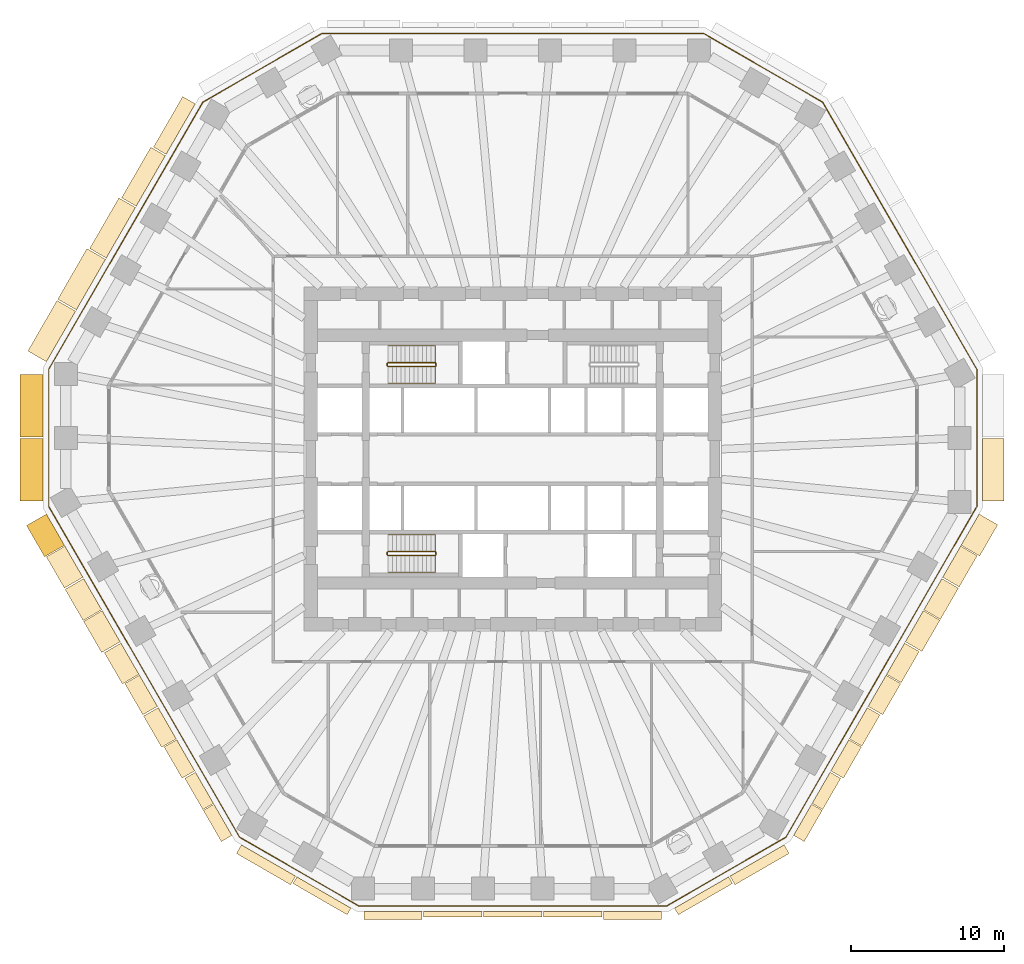
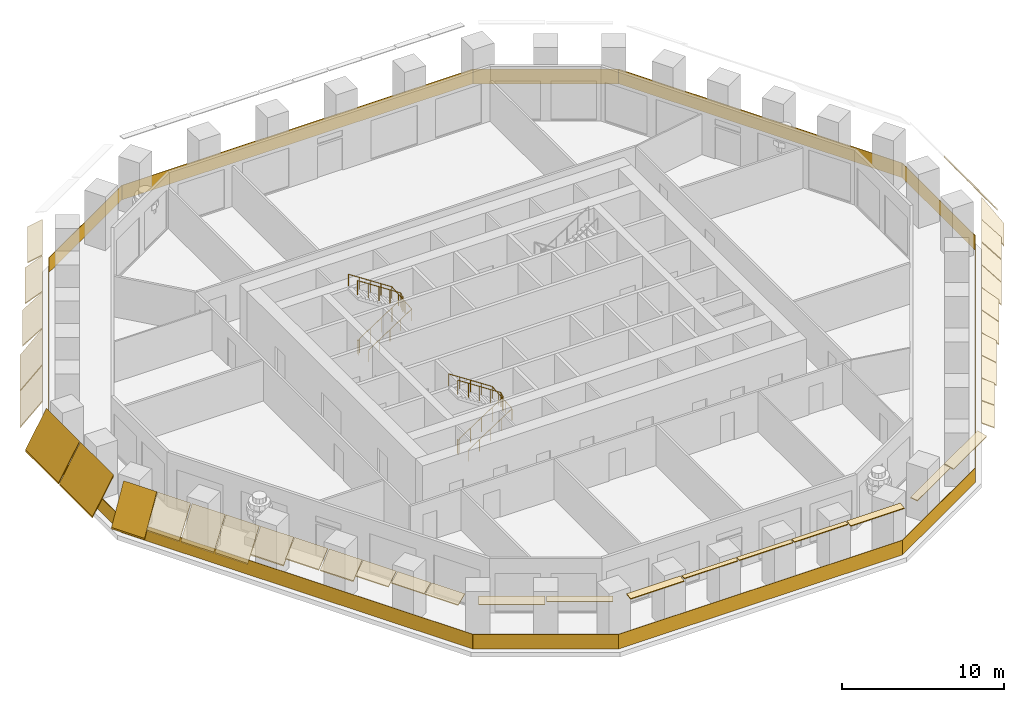
# One storey, part 9 of 12: 37 coverings, 5 railings.
"""IFC4 building model written with IfcOpenShell, lengths in metres."""

from ifc_helpers import new_model, si_unit, direction, frame, origin, origin_2d, place, context, subcontext, project, spatial, polyline, rectangle, circle, outline, extrude, material, layer, layer_set, type_object, element, save


model = new_model("IFC4")

# Units and contexts
model_context = context("Model", 3, precision=1e-05, world=origin(), true_north=direction((0.0, 1.0)))
body_context = subcontext(model_context, "Body", "Model", "MODEL_VIEW")
ifc_project = project(units=[si_unit("LENGTHUNIT", "METRE"), si_unit("AREAUNIT", "SQUARE_METRE"), si_unit("VOLUMEUNIT", "CUBIC_METRE"), si_unit("PLANEANGLEUNIT", "RADIAN"), si_unit("MASSUNIT", "GRAM", prefix="KILO")], contexts=[model_context])

# Site, building, storey
site_placement = place(None, origin())
site = spatial("IfcSite", under=ifc_project, at=site_placement, CompositionType="ELEMENT")
building_placement = place(site_placement, origin())
building = spatial("IfcBuilding", under=site, at=building_placement, Name="Frailejon Research Tower", CompositionType="ELEMENT")
storey_placement = place(building_placement, frame((0.0, 0.0, 63.0)))
storey = spatial("IfcBuildingStorey", under=building, at=storey_placement, Name="L14", CompositionType="ELEMENT", Elevation=63.0)

# Coverings
ifc_material_1 = material(Name="Precast concrete C50/60", Category="concrete")
ifc_layer_1 = layer(ifc_material_1, 0.06005859375)
ifc_layer_set_1 = layer_set([ifc_layer_1], Name="Brim blade depth 1100")
covering_type_1 = type_object("IfcCoveringType", Name="Brim blade depth 1100", PredefinedType="CLADDING", material=ifc_layer_set_1)
covering_1_placement = place(storey_placement, frame((-24.6162109375, 16.52880859375, 4.25), z_axis=(0.500001217064, 0.866024701111, 0.0), x_axis=(-0.866024701111, 0.500001217064, 0.0)))
element("IfcCovering", 1, at=covering_1_placement, inside=storey, type_object=covering_type_1, Name="Brim blade L14", PredefinedType="CLADDING", context=body_context, shape_type="SweptSolid", body=[
    extrude(outline(polyline([(0.0, -0.078369140625), (1.10009765625, -1.001220703125), (1.10009765625, -0.923095703125), (0.0, 0.0), (0.0, -0.078369140625)])), origin(), (0.0, 0.0, 1.0), 3.8125),
])
for number, where, z_axis, x_axis, name in (
    (2, (-23.229248046875, -16.165771484375, 4.25), (-0.50000563012, 0.866022153209, 0.0), (-0.866022153209, -0.50000563012, 0.0), "Brim blade L14"),
    (3, (-22.001708984375, -18.2919921875, 4.25), (-0.499996739973, 0.866027285954, 0.0), (-0.866027285954, -0.499996739973, 0.0), "Brim blade L14"),
    (4, (24.406982421875, -14.1259765625, 4.25), (-0.50000563012, -0.866022153209, 0.0), (0.866022153209, -0.50000563012, 0.0), "Brim blade L14"),
    (5, (25.614501953125, -12.0341796875, 4.25), (-0.50000563012, -0.866022153209, 0.0), (0.866022153209, -0.50000563012, 0.0), "Brim blade L14"),
):
    element("IfcCovering", number, at=place(storey_placement, frame(where, z_axis=z_axis, x_axis=x_axis)), inside=storey, type_object=covering_type_1, Name=name, PredefinedType="CLADDING", context=body_context, shape_type="SweptSolid", body=[
        extrude(outline(polyline([(0.0, -0.078369140625), (1.10009765625, -1.001220703125), (1.10009765625, -0.923095703125), (0.0, 0.0), (0.0, -0.078369140625)])), origin(), (0.0, 0.0, 1.0), 2.355224609375),
    ])
ifc_material_2 = material(Name="Precast concrete C50/60", Category="concrete")
ifc_layer_2 = layer(ifc_material_2, 0.06005859375)
ifc_layer_set_2 = layer_set([ifc_layer_2], Name="Brim blade depth 1250")
covering_type_2 = type_object("IfcCoveringType", Name="Brim blade depth 1250", PredefinedType="CLADDING", material=ifc_layer_set_2)
covering_2_placement = place(storey_placement, frame((-26.572509765625, 13.140380859375, 4.25), z_axis=(0.500001217064, 0.866024701111, 0.0), x_axis=(-0.866024701111, 0.500001217064, 0.0)))
element("IfcCovering", 6, at=covering_2_placement, inside=storey, type_object=covering_type_2, Name="Brim blade L14", PredefinedType="CLADDING", context=body_context, shape_type="SweptSolid", body=[
    extrude(outline(polyline([(0.0, -0.0888671875), (1.25, -1.452880859375), (1.25, -1.364013671875), (0.0, 0.0), (0.0, -0.0888671875)])), origin(), (0.0, 0.0, 1.0), 3.8125),
])
for number, where, z_axis, x_axis, name in (
    (7, (-24.43701171875, -14.073974609375, 4.25), (-0.50000563012, 0.866022153209, 0.0), (-0.866022153209, -0.50000563012, 0.0), "Brim blade L14"),
    (8, (26.84228515625, -9.907958984375, 4.25), (-0.499996739973, -0.866027285954, 0.0), (0.866027285954, -0.499996739973, 0.0), "Brim blade L14"),
    (9, (28.0498046875, -7.816162109375, 4.25), (-0.499996739973, -0.866027285954, 0.0), (0.866027285954, -0.499996739973, 0.0), "Brim blade L14"),
    (10, (29.277587890625, -5.689697265625, 4.25), (-0.499996739973, -0.866027285954, 0.0), (0.866027285954, -0.499996739973, 0.0), "Brim blade L14"),
):
    element("IfcCovering", number, at=place(storey_placement, frame(where, z_axis=z_axis, x_axis=x_axis)), inside=storey, type_object=covering_type_2, Name=name, PredefinedType="CLADDING", context=body_context, shape_type="SweptSolid", body=[
        extrude(outline(polyline([(0.0, -0.0888671875), (1.25, -1.452880859375), (1.25, -1.364013671875), (0.0, 0.0), (0.0, -0.0888671875)])), origin(), (0.0, 0.0, 1.0), 2.355224609375),
    ])
ifc_material_3 = material(Name="Precast concrete C50/60", Category="concrete")
ifc_layer_3 = layer(ifc_material_3, 0.06005859375)
ifc_layer_set_3 = layer_set([ifc_layer_3], Name="Brim blade depth 1400")
covering_type_3 = type_object("IfcCoveringType", Name="Brim blade depth 1400", PredefinedType="CLADDING", material=ifc_layer_set_3)
covering_3_placement = place(storey_placement, frame((30.711181640625, 1.332763671875, 4.25), z_axis=(0.0, -1.0, 0.0), x_axis=(1.0, 0.0, 0.0)))
element("IfcCovering", 11, at=covering_3_placement, inside=storey, type_object=covering_type_3, Name="Brim blade L14", PredefinedType="CLADDING", context=body_context, shape_type="SweptSolid", body=[
    extrude(outline(polyline([(0.0, -0.1044921875), (1.39990234375, -2.10400390625), (1.39990234375, -1.99951171875), (0.0, 0.0), (0.0, -0.1044921875)])), origin(), (0.0, 0.0, 1.0), 4.087646484375),
])
covering_4_placement = place(storey_placement, frame((-28.52880859375, 9.751953125, 4.25), z_axis=(0.499990149831, 0.866031090707, 0.0), x_axis=(-0.866031090707, 0.499990149831, 0.0)))
element("IfcCovering", 12, at=covering_4_placement, inside=storey, type_object=covering_type_3, Name="Brim blade L14", PredefinedType="CLADDING", context=body_context, shape_type="SweptSolid", body=[
    extrude(outline(polyline([(0.0, -0.1044921875), (1.39990234375, -2.10400390625), (1.39990234375, -1.99951171875), (0.0, 0.0), (0.0, -0.1044921875)])), origin(), (0.0, 0.0, 1.0), 3.812744140625),
])
covering_5_placement = place(storey_placement, frame((-30.485107421875, 6.363525390625, 4.25), z_axis=(0.500001217064, 0.866024701111, 0.0), x_axis=(-0.866024701111, 0.500001217064, 0.0)))
element("IfcCovering", 13, at=covering_5_placement, inside=storey, type_object=covering_type_3, Name="Brim blade L14", PredefinedType="CLADDING", context=body_context, shape_type="SweptSolid", body=[
    extrude(outline(polyline([(0.0, -0.1044921875), (1.39990234375, -2.10400390625), (1.39990234375, -1.99951171875), (0.0, 0.0), (0.0, -0.1044921875)])), origin(), (0.0, 0.0, 1.0), 3.8125),
])
for number, where, z_axis, x_axis, name in (
    (14, (-28.099853515625, -7.7294921875, 4.25), (-0.499996739973, 0.866027285954, 0.0), (-0.866027285954, -0.499996739973, 0.0), "Brim blade L14"),
    (15, (-26.872314453125, -9.85595703125, 4.25), (-0.499996739973, 0.866027285954, 0.0), (-0.866027285954, -0.499996739973, 0.0), "Brim blade L14"),
    (16, (-25.66455078125, -11.94775390625, 4.25), (-0.499996739973, 0.866027285954, 0.0), (-0.866027285954, -0.499996739973, 0.0), "Brim blade L14"),
    (17, (30.485107421875, -3.59814453125, 4.25), (-0.499996739973, -0.866027285954, 0.0), (0.866027285954, -0.499996739973, 0.0), "Brim blade L14"),
):
    element("IfcCovering", number, at=place(storey_placement, frame(where, z_axis=z_axis, x_axis=x_axis)), inside=storey, type_object=covering_type_3, Name=name, PredefinedType="CLADDING", context=body_context, shape_type="SweptSolid", body=[
        extrude(outline(polyline([(0.0, -0.1044921875), (1.39990234375, -2.10400390625), (1.39990234375, -1.99951171875), (0.0, 0.0), (0.0, -0.1044921875)])), origin(), (0.0, 0.0, 1.0), 2.355224609375),
    ])
ifc_material_4 = material(Name="Precast concrete C50/60", Category="concrete")
ifc_layer_4 = layer(ifc_material_4, 0.06005859375)
ifc_layer_set_4 = layer_set([ifc_layer_4], Name="Brim blade depth 1500")
covering_type_4 = type_object("IfcCoveringType", Name="Brim blade depth 1500", PredefinedType="CLADDING", material=ifc_layer_set_4)
covering_6_placement = place(storey_placement, frame((-30.711181640625, 1.432861328125, 4.25), z_axis=(0.0, 1.0, 0.0), x_axis=(-1.0, 0.0, 0.0)))
element("IfcCovering", 18, at=covering_6_placement, inside=storey, type_object=covering_type_4, Name="Brim blade L14", PredefinedType="CLADDING", context=body_context, shape_type="SweptSolid", body=[
    extrude(outline(polyline([(0.0, -0.1201171875), (1.5, -2.718017578125), (1.5, -2.59814453125), (0.0, 0.0), (0.0, -0.1201171875)])), origin(), (0.0, 0.0, 1.0), 4.08740234375),
])
covering_7_placement = place(storey_placement, frame((-30.711181640625, -2.7548828125, 4.25), z_axis=(0.0, 1.0, 0.0), x_axis=(-1.0, 0.0, 0.0)))
element("IfcCovering", 19, at=covering_7_placement, inside=storey, type_object=covering_type_4, Name="Brim blade L14", PredefinedType="CLADDING", context=body_context, shape_type="SweptSolid", body=[
    extrude(outline(polyline([(0.0, -0.1201171875), (1.5, -2.718017578125), (1.5, -2.59814453125), (0.0, 0.0), (0.0, -0.1201171875)])), origin(), (0.0, 0.0, 1.0), 4.087646484375),
])
covering_8_placement = place(storey_placement, frame((-29.3076171875, -5.637939453125, 4.25), z_axis=(-0.499996739973, 0.866027285954, 0.0), x_axis=(-0.866027285954, -0.499996739973, 0.0)))
element("IfcCovering", 20, at=covering_8_placement, inside=storey, type_object=covering_type_4, Name="Brim blade L14", PredefinedType="CLADDING", context=body_context, shape_type="SweptSolid", body=[
    extrude(outline(polyline([(0.0, -0.1201171875), (1.5, -2.718017578125), (1.5, -2.59814453125), (0.0, 0.0), (0.0, -0.1201171875)])), origin(), (0.0, 0.0, 1.0), 2.355224609375),
])
ifc_material_5 = material(Name="Precast concrete C50/60", Category="concrete")
ifc_layer_5 = layer(ifc_material_5, 0.06005859375)
ifc_layer_set_5 = layer_set([ifc_layer_5], Name="Brim blade depth 350")
covering_type_5 = type_object("IfcCoveringType", Name="Brim blade depth 350", PredefinedType="CLADDING", material=ifc_layer_set_5)
for number, where, z_axis, x_axis, name in (
    (21, (-2.00634765625, -29.582763671875, 4.25), (-1.0, 0.0, 0.0), (0.0, -1.0, 0.0), "Brim blade L14"),
    (22, (1.90625, -29.582763671875, 4.25), (-1.0, 0.0, 0.0), (0.0, -1.0, 0.0), "Brim blade L14"),
    (23, (5.81884765625, -29.582763671875, 4.25), (-1.0, 0.0, 0.0), (0.0, -1.0, 0.0), "Brim blade L14"),
):
    element("IfcCovering", number, at=place(storey_placement, frame(where, z_axis=z_axis, x_axis=x_axis)), inside=storey, type_object=covering_type_5, Name=name, PredefinedType="CLADDING", context=body_context, shape_type="SweptSolid", body=[
        extrude(outline(polyline([(0.0, -0.06005859375), (0.35009765625, -0.06005859375), (0.35009765625, 0.0), (0.0, 0.0), (0.0, -0.06005859375)])), origin(), (0.0, 0.0, 1.0), 3.8125),
    ])
ifc_material_6 = material(Name="Precast concrete C50/60", Category="concrete")
ifc_layer_6 = layer(ifc_material_6, 0.06005859375)
ifc_layer_set_6 = layer_set([ifc_layer_6], Name="Brim blade depth 500")
covering_type_6 = type_object("IfcCoveringType", Name="Brim blade depth 500", PredefinedType="CLADDING", material=ifc_layer_set_6)
covering_9_placement = place(storey_placement, frame((-10.57470703125, -29.356689453125, 4.25), z_axis=(-0.866027315287, 0.499996689166, 0.0), x_axis=(-0.499996689166, -0.866027315287, 0.0)))
element("IfcCovering", 24, at=covering_9_placement, inside=storey, type_object=covering_type_6, Name="Brim blade L14", PredefinedType="CLADDING", context=body_context, shape_type="SweptSolid", body=[
    extrude(outline(polyline([(0.0, -0.060546875), (0.5, -0.130859375), (0.5, -0.0703125), (0.0, 0.0), (0.0, -0.060546875)])), origin(), (0.0, 0.0, 1.0), 4.087646484375),
])
for number, where, z_axis, x_axis, name in (
    (25, (-5.9189453125, -29.582763671875, 4.25), (-1.0, 0.0, 0.0), (0.0, -1.0, 0.0), "Brim blade L14"),
    (26, (9.7314453125, -29.582763671875, 4.25), (-1.0, 0.0, 0.0), (0.0, -1.0, 0.0), "Brim blade L14"),
):
    element("IfcCovering", number, at=place(storey_placement, frame(where, z_axis=z_axis, x_axis=x_axis)), inside=storey, type_object=covering_type_6, Name=name, PredefinedType="CLADDING", context=body_context, shape_type="SweptSolid", body=[
        extrude(outline(polyline([(0.0, -0.060546875), (0.5, -0.130859375), (0.5, -0.0703125), (0.0, 0.0), (0.0, -0.060546875)])), origin(), (0.0, 0.0, 1.0), 3.8125),
    ])
covering_10_placement = place(storey_placement, frame((14.11474609375, -27.31298828125, 4.25), z_axis=(-0.866027315287, -0.499996689166, 0.0), x_axis=(0.499996689166, -0.866027315287, 0.0)))
element("IfcCovering", 27, at=covering_10_placement, inside=storey, type_object=covering_type_6, Name="Brim blade L14", PredefinedType="CLADDING", context=body_context, shape_type="SweptSolid", body=[
    extrude(outline(polyline([(0.0, -0.060546875), (0.5, -0.130859375), (0.5, -0.0703125), (0.0, 0.0), (0.0, -0.060546875)])), origin(), (0.0, 0.0, 1.0), 4.087646484375),
])
ifc_material_7 = material(Name="Precast concrete C50/60", Category="concrete")
ifc_layer_7 = layer(ifc_material_7, 0.06005859375)
ifc_layer_set_7 = layer_set([ifc_layer_7], Name="Brim blade depth 650")
covering_type_7 = type_object("IfcCoveringType", Name="Brim blade depth 650", PredefinedType="CLADDING", material=ifc_layer_set_7)
for number, where, z_axis, x_axis, name in (
    (28, (-14.201416015625, -27.262939453125, 4.25), (-0.866021344981, 0.500007029989, 0.0), (-0.500007029989, -0.866021344981, 0.0), "Brim blade L14"),
    (29, (17.7412109375, -25.21923828125, 4.25), (-0.866021344981, -0.500007029989, 0.0), (0.500007029989, -0.866021344981, 0.0), "Brim blade L14"),
):
    element("IfcCovering", number, at=place(storey_placement, frame(where, z_axis=z_axis, x_axis=x_axis)), inside=storey, type_object=covering_type_7, Name=name, PredefinedType="CLADDING", context=body_context, shape_type="SweptSolid", body=[
        extrude(outline(polyline([(0.0, -0.0625), (0.64990234375, -0.248779296875), (0.64990234375, -0.186279296875), (0.0, 0.0), (0.0, -0.0625)])), origin(), (0.0, 0.0, 1.0), 4.08740234375),
    ])
ifc_material_8 = material(Name="Precast concrete C50/60", Category="concrete")
ifc_layer_8 = layer(ifc_material_8, 0.06005859375)
ifc_layer_set_8 = layer_set([ifc_layer_8], Name="Brim blade depth 800")
covering_type_8 = type_object("IfcCoveringType", Name="Brim blade depth 800", PredefinedType="CLADDING", material=ifc_layer_set_8)
for number, where, z_axis, x_axis, name in (
    (30, (-19.56640625, -22.51025390625, 4.25), (-0.499996739973, 0.866027285954, 0.0), (-0.866027285954, -0.499996739973, 0.0), "Brim blade L14"),
    (31, (-18.358642578125, -24.601806640625, 4.25), (-0.499996739973, 0.866027285954, 0.0), (-0.866027285954, -0.499996739973, 0.0), "Brim blade L14"),
    (32, (19.536376953125, -22.56201171875, 4.25), (-0.499996739973, -0.866027285954, 0.0), (0.866027285954, -0.499996739973, 0.0), "Brim blade L14"),
    (33, (20.743896484375, -20.470458984375, 4.25), (-0.499996739973, -0.866027285954, 0.0), (0.866027285954, -0.499996739973, 0.0), "Brim blade L14"),
):
    element("IfcCovering", number, at=place(storey_placement, frame(where, z_axis=z_axis, x_axis=x_axis)), inside=storey, type_object=covering_type_8, Name=name, PredefinedType="CLADDING", context=body_context, shape_type="SweptSolid", body=[
        extrude(outline(polyline([(0.0, -0.065673828125), (0.800048828125, -0.421875), (0.800048828125, -0.356201171875), (0.0, 0.0), (0.0, -0.065673828125)])), origin(), (0.0, 0.0, 1.0), 2.355224609375),
    ])
ifc_material_9 = material(Name="Precast concrete C50/60", Category="concrete")
ifc_layer_9 = layer(ifc_material_9, 0.06005859375)
ifc_layer_set_9 = layer_set([ifc_layer_9], Name="Brim blade depth 950")
covering_type_9 = type_object("IfcCoveringType", Name="Brim blade depth 950", PredefinedType="CLADDING", material=ifc_layer_set_9)
covering_11_placement = place(storey_placement, frame((-22.659912109375, 19.917236328125, 4.25), z_axis=(0.500001217064, 0.866024701111, 0.0), x_axis=(-0.866024701111, 0.500001217064, 0.0)))
element("IfcCovering", 34, at=covering_11_placement, inside=storey, type_object=covering_type_9, Name="Brim blade L14", PredefinedType="CLADDING", context=body_context, shape_type="SweptSolid", body=[
    extrude(outline(polyline([(0.0, -0.07080078125), (0.949951171875, -0.664306640625), (0.949951171875, -0.593505859375), (0.0, 0.0), (0.0, -0.07080078125)])), origin(), (0.0, 0.0, 1.0), 3.8125),
])
for number, where, z_axis, x_axis, name in (
    (35, (-20.7939453125, -20.3837890625, 4.25), (-0.499996739973, 0.866027285954, 0.0), (-0.866027285954, -0.499996739973, 0.0), "Brim blade L14"),
    (36, (21.9716796875, -18.343994140625, 4.25), (-0.499996739973, -0.866027285954, 0.0), (0.866027285954, -0.499996739973, 0.0), "Brim blade L14"),
    (37, (23.17919921875, -16.252197265625, 4.25), (-0.499996739973, -0.866027285954, 0.0), (0.866027285954, -0.499996739973, 0.0), "Brim blade L14"),
):
    element("IfcCovering", number, at=place(storey_placement, frame(where, z_axis=z_axis, x_axis=x_axis)), inside=storey, type_object=covering_type_9, Name=name, PredefinedType="CLADDING", context=body_context, shape_type="SweptSolid", body=[
        extrude(outline(polyline([(0.0, -0.07080078125), (0.949951171875, -0.664306640625), (0.949951171875, -0.593505859375), (0.0, 0.0), (0.0, -0.07080078125)])), origin(), (0.0, 0.0, 1.0), 2.355224609375),
    ])

# Railings
ifc_material_10 = material(Name="Laminated glass balustrade", Category="glass")
railing_type_1 = type_object("IfcRailingType", Name="Glass guard 1100", PredefinedType="GUARDRAIL", material=ifc_material_10)
railing_1_placement = place(storey_placement, frame((30.331787109375, -3.10498046875, 0.0)))
element("IfcRailing", 38, at=railing_1_placement, inside=storey, type_object=railing_type_1, Name="Loggia guard L14", PredefinedType="GUARDRAIL", context=body_context, shape_type="SweptSolid", body=[
    extrude(rectangle(XDim=8.9755859375, YDim=0.030029296875, at=origin_2d()), frame((0.0, 4.48779296875, 0.0), z_axis=(0.0, 0.0, 1.0), x_axis=(0.0, 1.0, 0.0)), (0.0, 0.0, 1.0), 1.10009765625),
    extrude(rectangle(XDim=20.163818359375, YDim=0.030029296875, at=origin_2d()), frame((-5.041015625, 17.706787109375, 0.0), z_axis=(0.0, 0.0, 1.0), x_axis=(-0.499994956871, 0.866028315417, 0.0)), (0.0, 0.0, 1.0), 1.10009765625),
    extrude(rectangle(XDim=8.9755859375, YDim=0.030029296875, at=origin_2d()), frame((-13.96826171875, 28.681884765625, 0.0), z_axis=(0.0, 0.0, 1.0), x_axis=(-0.866028409771, 0.499994793442, 0.0)), (0.0, 0.0, 1.0), 1.10009765625),
    extrude(rectangle(XDim=24.95361328125, YDim=0.030029296875, at=origin_2d()), frame((-30.331787109375, 30.92578125, 0.0), z_axis=(0.0, 0.0, 1.0), x_axis=(-1.0, 0.0, 0.0)), (0.0, 0.0, 1.0), 1.10009765625),
    extrude(rectangle(XDim=8.9755859375, YDim=0.030029296875, at=origin_2d()), frame((-46.6953125, 28.681884765625, 0.0), z_axis=(0.0, 0.0, 1.0), x_axis=(-0.866028409771, -0.499994793442, 0.0)), (0.0, 0.0, 1.0), 1.10009765625),
    extrude(rectangle(XDim=20.163818359375, YDim=0.030029296875, at=origin_2d()), frame((-55.62255859375, 17.706787109375, 0.0), z_axis=(0.0, 0.0, 1.0), x_axis=(-0.499994956871, -0.866028315417, 0.0)), (0.0, 0.0, 1.0), 1.10009765625),
    extrude(rectangle(XDim=8.9755859375, YDim=0.030029296875, at=origin_2d()), frame((-60.66357421875, 4.48779296875, 0.0), z_axis=(0.0, 0.0, 1.0), x_axis=(0.0, -1.0, 0.0)), (0.0, 0.0, 1.0), 1.10009765625),
    extrude(rectangle(XDim=24.953857421875, YDim=0.030029296875, at=origin_2d()), frame((-54.42529296875, -10.805419921875, 0.0), z_axis=(0.0, 0.0, 1.0), x_axis=(0.499993461121, -0.866029178975, 0.0)), (0.0, 0.0, 1.0), 1.10009765625),
    extrude(rectangle(XDim=8.9755859375, YDim=0.030029296875, at=origin_2d()), frame((-44.30029296875, -23.854736328125, 0.0), z_axis=(0.0, 0.0, 1.0), x_axis=(0.866028409771, -0.499994793442, 0.0)), (0.0, 0.0, 1.0), 1.10009765625),
    extrude(rectangle(XDim=20.16357421875, YDim=0.030029296875, at=origin_2d()), frame((-30.331787109375, -26.0986328125, 0.0), z_axis=(0.0, 0.0, 1.0), x_axis=(1.0, 0.0, 0.0)), (0.0, 0.0, 1.0), 1.10009765625),
    extrude(rectangle(XDim=8.9755859375, YDim=0.030029296875, at=origin_2d()), frame((-16.36328125, -23.854736328125, 0.0), z_axis=(0.0, 0.0, 1.0), x_axis=(0.866028409771, 0.499994793442, 0.0)), (0.0, 0.0, 1.0), 1.10009765625),
    extrude(rectangle(XDim=24.8837890625, YDim=0.030029296875, at=origin_2d()), frame((-6.255859375, -10.8359375, 0.0), z_axis=(0.0, 0.0, 1.0), x_axis=(0.499999036702, 0.866025959944, 0.0)), (0.0, 0.0, 1.0), 1.10009765625),
])
ifc_material_11 = material(Name="Stainless steel", Category="steel")
railing_type_2 = type_object("IfcRailingType", Name="Stair guard 1100", PredefinedType="GUARDRAIL", material=ifc_material_11)
railing_2_placement = place(storey_placement, frame((-8.199951171875, 6.25, 0.0)))
element("IfcRailing", 39, at=railing_2_placement, inside=storey, type_object=railing_type_2, Name="L14 ST1 stair guard 1", PredefinedType="GUARDRAIL", context=body_context, shape_type="SweptSolid", body=[
    extrude(circle(Radius=0.02392578125, at=origin_2d()), frame((0.0, 0.0, 1.076171875), z_axis=(0.0, -1.0, 0.0), x_axis=(1.0, 0.0, 0.0)), (0.0, 0.0, 1.0), 0.14990234375),
    extrude(circle(Radius=0.02392578125, at=origin_2d()), frame((0.0, -0.14990234375, 1.076171875), z_axis=(0.254653276557, -0.254653276557, 0.932900539971), x_axis=(0.707106781187, 0.707106781187, 0.0)), (0.0, 0.0, 1.0), 0.196533203125),
    extrude(circle(Radius=0.02392578125, at=origin_2d()), frame((0.050048828125, -0.199951171875, 1.25927734375), z_axis=(0.836613101238, 0.0, 0.547794230379), x_axis=(0.0, 1.0, 0.0)), (0.0, 0.0, 1.0), 3.681396484375),
    extrude(circle(Radius=0.02392578125, at=origin_2d()), frame((3.1298828125, -0.199951171875, 3.27587890625), z_axis=(0.707106781187, 0.707106781187, 0.0), x_axis=(-0.707106781187, 0.707106781187, 0.0)), (0.0, 0.0, 1.0), 0.07080078125),
    extrude(circle(Radius=0.02392578125, at=origin_2d()), frame((3.179931640625, -0.14990234375, 3.27587890625), z_axis=(0.0, 1.0, 0.0), x_axis=(-1.0, 0.0, 0.0)), (0.0, 0.0, 1.0), 0.14990234375),
    extrude(circle(Radius=0.02392578125, at=origin_2d()), frame((3.179931640625, 0.0, 3.27587890625), z_axis=(-0.254653276557, 0.254653276557, 0.932900539971), x_axis=(-0.707106781187, -0.707106781187, 0.0)), (0.0, 0.0, 1.0), 0.196533203125),
    extrude(circle(Radius=0.02392578125, at=origin_2d()), frame((3.1298828125, 0.050048828125, 3.45947265625), z_axis=(-0.836613101238, 0.0, 0.547794230379), x_axis=(0.0, -1.0, 0.0)), (0.0, 0.0, 1.0), 3.681396484375),
    extrude(circle(Radius=0.02099609375, at=origin_2d()), origin(), (0.0, 0.0, 1.0), 1.052001953125),
    extrude(circle(Radius=0.02099609375, at=origin_2d()), frame((0.0, -0.14990234375, 0.0)), (0.0, 0.0, 1.0), 1.052001953125),
    extrude(circle(Radius=0.02099609375, at=origin_2d()), frame((0.050048828125, -0.199951171875, 0.183349609375)), (0.0, 0.0, 1.0), 1.052001953125),
    extrude(circle(Radius=0.02099609375, at=origin_2d()), frame((0.820068359375, -0.199951171875, 0.6875)), (0.0, 0.0, 1.0), 1.052001953125),
    extrude(circle(Radius=0.02099609375, at=origin_2d()), frame((1.58984375, -0.199951171875, 1.191650390625)), (0.0, 0.0, 1.0), 1.052001953125),
    extrude(circle(Radius=0.02099609375, at=origin_2d()), frame((2.35986328125, -0.199951171875, 1.69580078125)), (0.0, 0.0, 1.0), 1.052001953125),
    extrude(circle(Radius=0.02099609375, at=origin_2d()), frame((3.1298828125, -0.199951171875, 2.199951171875)), (0.0, 0.0, 1.0), 1.052001953125),
    extrude(circle(Radius=0.02099609375, at=origin_2d()), frame((3.179931640625, -0.14990234375, 2.199951171875)), (0.0, 0.0, 1.0), 1.052001953125),
    extrude(circle(Radius=0.02099609375, at=origin_2d()), frame((3.179931640625, 0.0, 2.199951171875)), (0.0, 0.0, 1.0), 1.052001953125),
    extrude(circle(Radius=0.02099609375, at=origin_2d()), frame((3.1298828125, 0.050048828125, 2.38330078125)), (0.0, 0.0, 1.0), 1.052001953125),
    extrude(circle(Radius=0.02099609375, at=origin_2d()), frame((2.35986328125, 0.050048828125, 2.887451171875)), (0.0, 0.0, 1.0), 1.052001953125),
    extrude(circle(Radius=0.02099609375, at=origin_2d()), frame((1.58984375, 0.050048828125, 3.3916015625)), (0.0, 0.0, 1.0), 1.052001953125),
    extrude(circle(Radius=0.02099609375, at=origin_2d()), frame((0.820068359375, 0.050048828125, 3.895751953125)), (0.0, 0.0, 1.0), 1.052001953125),
    extrude(circle(Radius=0.02099609375, at=origin_2d()), frame((0.050048828125, 0.050048828125, 4.39990234375)), (0.0, 0.0, 1.0), 1.052001953125),
])
railing_3_placement = place(storey_placement, frame((-8.199951171875, -6.10009765625, 0.0)))
element("IfcRailing", 40, at=railing_3_placement, inside=storey, type_object=railing_type_2, Name="L14 ST2 stair guard 1", PredefinedType="GUARDRAIL", context=body_context, shape_type="SweptSolid", body=[
    extrude(circle(Radius=0.02392578125, at=origin_2d()), frame((0.0, 0.0, 1.076171875), z_axis=(0.0, -1.0, 0.0), x_axis=(1.0, 0.0, 0.0)), (0.0, 0.0, 1.0), 0.14990234375),
    extrude(circle(Radius=0.02392578125, at=origin_2d()), frame((0.0, -0.14990234375, 1.076171875), z_axis=(0.254653276557, -0.254653276557, 0.932900539971), x_axis=(0.707106781187, 0.707106781187, 0.0)), (0.0, 0.0, 1.0), 0.196533203125),
    extrude(circle(Radius=0.02392578125, at=origin_2d()), frame((0.050048828125, -0.199951171875, 1.25927734375), z_axis=(0.836613101238, 0.0, 0.547794230379), x_axis=(0.0, 1.0, 0.0)), (0.0, 0.0, 1.0), 3.681396484375),
    extrude(circle(Radius=0.02392578125, at=origin_2d()), frame((3.1298828125, -0.199951171875, 3.27587890625), z_axis=(0.707106781187, 0.707106781187, 0.0), x_axis=(-0.707106781187, 0.707106781187, 0.0)), (0.0, 0.0, 1.0), 0.07080078125),
    extrude(circle(Radius=0.02392578125, at=origin_2d()), frame((3.179931640625, -0.14990234375, 3.27587890625), z_axis=(0.0, 1.0, 0.0), x_axis=(-1.0, 0.0, 0.0)), (0.0, 0.0, 1.0), 0.14990234375),
    extrude(circle(Radius=0.02392578125, at=origin_2d()), frame((3.179931640625, 0.0, 3.27587890625), z_axis=(-0.254653276557, 0.254653276557, 0.932900539971), x_axis=(-0.707106781187, -0.707106781187, 0.0)), (0.0, 0.0, 1.0), 0.196533203125),
    extrude(circle(Radius=0.02392578125, at=origin_2d()), frame((3.1298828125, 0.050048828125, 3.45947265625), z_axis=(-0.836613101238, 0.0, 0.547794230379), x_axis=(0.0, -1.0, 0.0)), (0.0, 0.0, 1.0), 3.681396484375),
    extrude(circle(Radius=0.02099609375, at=origin_2d()), origin(), (0.0, 0.0, 1.0), 1.052001953125),
    extrude(circle(Radius=0.02099609375, at=origin_2d()), frame((0.0, -0.14990234375, 0.0)), (0.0, 0.0, 1.0), 1.052001953125),
    extrude(circle(Radius=0.02099609375, at=origin_2d()), frame((0.050048828125, -0.199951171875, 0.183349609375)), (0.0, 0.0, 1.0), 1.052001953125),
    extrude(circle(Radius=0.02099609375, at=origin_2d()), frame((0.820068359375, -0.199951171875, 0.6875)), (0.0, 0.0, 1.0), 1.052001953125),
    extrude(circle(Radius=0.02099609375, at=origin_2d()), frame((1.58984375, -0.199951171875, 1.191650390625)), (0.0, 0.0, 1.0), 1.052001953125),
    extrude(circle(Radius=0.02099609375, at=origin_2d()), frame((2.35986328125, -0.199951171875, 1.69580078125)), (0.0, 0.0, 1.0), 1.052001953125),
    extrude(circle(Radius=0.02099609375, at=origin_2d()), frame((3.1298828125, -0.199951171875, 2.199951171875)), (0.0, 0.0, 1.0), 1.052001953125),
    extrude(circle(Radius=0.02099609375, at=origin_2d()), frame((3.179931640625, -0.14990234375, 2.199951171875)), (0.0, 0.0, 1.0), 1.052001953125),
    extrude(circle(Radius=0.02099609375, at=origin_2d()), frame((3.179931640625, 0.0, 2.199951171875)), (0.0, 0.0, 1.0), 1.052001953125),
    extrude(circle(Radius=0.02099609375, at=origin_2d()), frame((3.1298828125, 0.050048828125, 2.38330078125)), (0.0, 0.0, 1.0), 1.052001953125),
    extrude(circle(Radius=0.02099609375, at=origin_2d()), frame((2.35986328125, 0.050048828125, 2.887451171875)), (0.0, 0.0, 1.0), 1.052001953125),
    extrude(circle(Radius=0.02099609375, at=origin_2d()), frame((1.58984375, 0.050048828125, 3.3916015625)), (0.0, 0.0, 1.0), 1.052001953125),
    extrude(circle(Radius=0.02099609375, at=origin_2d()), frame((0.820068359375, 0.050048828125, 3.895751953125)), (0.0, 0.0, 1.0), 1.052001953125),
    extrude(circle(Radius=0.02099609375, at=origin_2d()), frame((0.050048828125, 0.050048828125, 4.39990234375)), (0.0, 0.0, 1.0), 1.052001953125),
])
ifc_material_12 = material(Name="Stainless steel", Category="steel")
railing_type_3 = type_object("IfcRailingType", Name="Stair handrail 900", PredefinedType="HANDRAIL", material=ifc_material_12)
railing_4_placement = place(storey_placement, frame((-8.14990234375, 4.949951171875, 0.183349609375)))
element("IfcRailing", 41, at=railing_4_placement, inside=storey, type_object=railing_type_3, Name="L14 ST1 stair handrail 1", PredefinedType="HANDRAIL", context=body_context, shape_type="SweptSolid", body=[
    extrude(circle(Radius=0.02392578125, at=origin_2d()), frame((0.0, 0.0, 0.8759765625), z_axis=(0.836613101238, 0.0, 0.547794230379), x_axis=(0.0, 1.0, 0.0)), (0.0, 0.0, 1.0), 3.681396484375),
    extrude(circle(Radius=0.02392578125, at=origin_2d()), frame((3.079833984375, 0.0, 2.892578125), z_axis=(0.0, 0.99721134034, 0.074629368868), x_axis=(-1.0, 0.0, 0.0)), (0.0, 0.0, 1.0), 2.456787109375),
    extrude(circle(Radius=0.02392578125, at=origin_2d()), frame((3.079833984375, 2.449951171875, 3.07568359375), z_axis=(-0.836613101238, 0.0, 0.547794230379), x_axis=(0.0, -1.0, 0.0)), (0.0, 0.0, 1.0), 3.681396484375),
    extrude(circle(Radius=0.02099609375, at=origin_2d()), origin(), (0.0, 0.0, 1.0), 0.851806640625),
    extrude(circle(Radius=0.02099609375, at=origin_2d()), frame((0.77001953125, 0.0, 0.504150390625)), (0.0, 0.0, 1.0), 0.851806640625),
    extrude(circle(Radius=0.02099609375, at=origin_2d()), frame((1.5400390625, 0.0, 1.00830078125)), (0.0, 0.0, 1.0), 0.851806640625),
    extrude(circle(Radius=0.02099609375, at=origin_2d()), frame((2.309814453125, 0.0, 1.512451171875)), (0.0, 0.0, 1.0), 0.851806640625),
    extrude(circle(Radius=0.02099609375, at=origin_2d()), frame((3.079833984375, 0.0, 2.0166015625)), (0.0, 0.0, 1.0), 0.851806640625),
    extrude(circle(Radius=0.02099609375, at=origin_2d()), frame((3.079833984375, 0.816650390625, 2.07763671875)), (0.0, 0.0, 1.0), 0.851806640625),
    extrude(circle(Radius=0.02099609375, at=origin_2d()), frame((3.079833984375, 1.63330078125, 2.138916015625)), (0.0, 0.0, 1.0), 0.851806640625),
    extrude(circle(Radius=0.02099609375, at=origin_2d()), frame((3.079833984375, 2.449951171875, 2.199951171875)), (0.0, 0.0, 1.0), 0.851806640625),
    extrude(circle(Radius=0.02099609375, at=origin_2d()), frame((2.309814453125, 2.449951171875, 2.7041015625)), (0.0, 0.0, 1.0), 0.851806640625),
    extrude(circle(Radius=0.02099609375, at=origin_2d()), frame((1.5400390625, 2.449951171875, 3.208251953125)), (0.0, 0.0, 1.0), 0.851806640625),
    extrude(circle(Radius=0.02099609375, at=origin_2d()), frame((0.77001953125, 2.449951171875, 3.71240234375)), (0.0, 0.0, 1.0), 0.851806640625),
    extrude(circle(Radius=0.02099609375, at=origin_2d()), frame((0.0, 2.449951171875, 4.216552734375)), (0.0, 0.0, 1.0), 0.851806640625),
])
railing_5_placement = place(storey_placement, frame((-8.14990234375, -7.39990234375, 0.183349609375)))
element("IfcRailing", 42, at=railing_5_placement, inside=storey, type_object=railing_type_3, Name="L14 ST2 stair handrail 1", PredefinedType="HANDRAIL", context=body_context, shape_type="SweptSolid", body=[
    extrude(circle(Radius=0.02392578125, at=origin_2d()), frame((0.0, 0.0, 0.8759765625), z_axis=(0.836613101238, 0.0, 0.547794230379), x_axis=(0.0, 1.0, 0.0)), (0.0, 0.0, 1.0), 3.681396484375),
    extrude(circle(Radius=0.02392578125, at=origin_2d()), frame((3.079833984375, 0.0, 2.892578125), z_axis=(0.0, 0.99721134034, 0.074629368868), x_axis=(-1.0, 0.0, 0.0)), (0.0, 0.0, 1.0), 2.456787109375),
    extrude(circle(Radius=0.02392578125, at=origin_2d()), frame((3.079833984375, 2.449951171875, 3.07568359375), z_axis=(-0.836613101238, 0.0, 0.547794230379), x_axis=(0.0, -1.0, 0.0)), (0.0, 0.0, 1.0), 3.681396484375),
    extrude(circle(Radius=0.02099609375, at=origin_2d()), origin(), (0.0, 0.0, 1.0), 0.851806640625),
    extrude(circle(Radius=0.02099609375, at=origin_2d()), frame((0.77001953125, 0.0, 0.504150390625)), (0.0, 0.0, 1.0), 0.851806640625),
    extrude(circle(Radius=0.02099609375, at=origin_2d()), frame((1.5400390625, 0.0, 1.00830078125)), (0.0, 0.0, 1.0), 0.851806640625),
    extrude(circle(Radius=0.02099609375, at=origin_2d()), frame((2.309814453125, 0.0, 1.512451171875)), (0.0, 0.0, 1.0), 0.851806640625),
    extrude(circle(Radius=0.02099609375, at=origin_2d()), frame((3.079833984375, 0.0, 2.0166015625)), (0.0, 0.0, 1.0), 0.851806640625),
    extrude(circle(Radius=0.02099609375, at=origin_2d()), frame((3.079833984375, 0.816650390625, 2.07763671875)), (0.0, 0.0, 1.0), 0.851806640625),
    extrude(circle(Radius=0.02099609375, at=origin_2d()), frame((3.079833984375, 1.63330078125, 2.138916015625)), (0.0, 0.0, 1.0), 0.851806640625),
    extrude(circle(Radius=0.02099609375, at=origin_2d()), frame((3.079833984375, 2.449951171875, 2.199951171875)), (0.0, 0.0, 1.0), 0.851806640625),
    extrude(circle(Radius=0.02099609375, at=origin_2d()), frame((2.309814453125, 2.449951171875, 2.7041015625)), (0.0, 0.0, 1.0), 0.851806640625),
    extrude(circle(Radius=0.02099609375, at=origin_2d()), frame((1.5400390625, 2.449951171875, 3.208251953125)), (0.0, 0.0, 1.0), 0.851806640625),
    extrude(circle(Radius=0.02099609375, at=origin_2d()), frame((0.77001953125, 2.449951171875, 3.71240234375)), (0.0, 0.0, 1.0), 0.851806640625),
    extrude(circle(Radius=0.02099609375, at=origin_2d()), frame((0.0, 2.449951171875, 4.216552734375)), (0.0, 0.0, 1.0), 0.851806640625),
])

save(model, "model.ifc")
